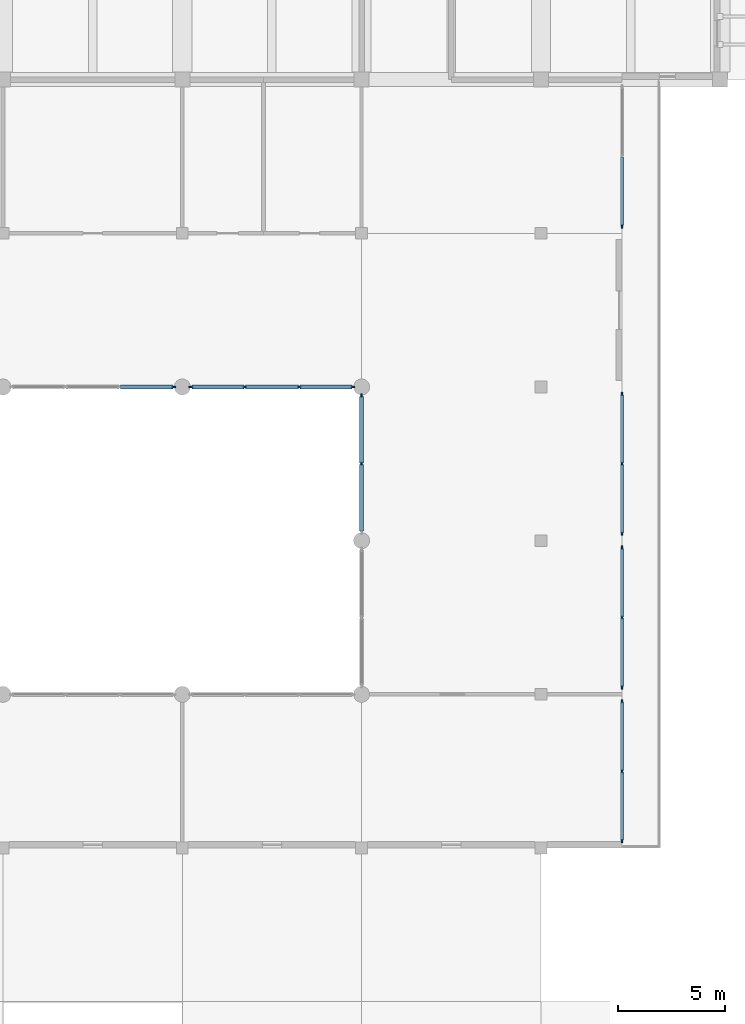
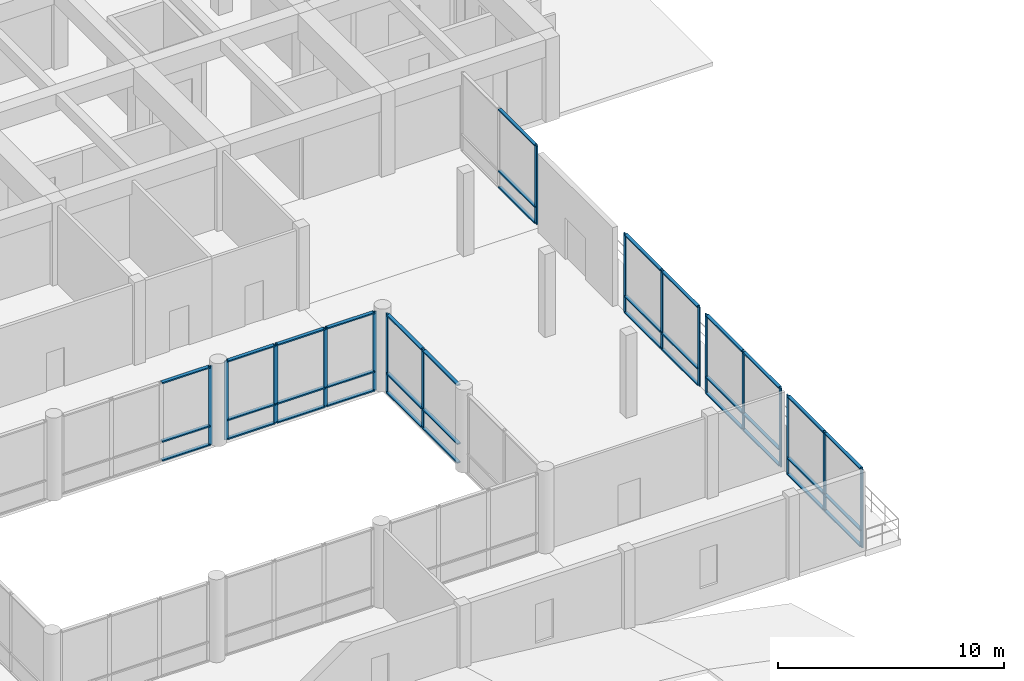
# One storey, part 4 of 17: 56 members, 7 elements without a shape of their own.
"""IFC4 building model written with IfcOpenShell, lengths in metres."""

from ifc_helpers import new_model, si_unit, direction, frame, origin, origin_2d, place, context, subcontext, project, spatial, rectangle, extrude, material, material_profile, profile_set, type_object, element, aggregate, save


model = new_model("IFC4")

# Units and contexts
model_context = context("Model", 3, precision=1e-05, world=origin(), true_north=direction((0.0, 1.0)))
body_context = subcontext(model_context, "Body", "Model", "MODEL_VIEW")
ifc_project = project(units=[si_unit("LENGTHUNIT", "METRE"), si_unit("AREAUNIT", "SQUARE_METRE"), si_unit("VOLUMEUNIT", "CUBIC_METRE"), si_unit("PLANEANGLEUNIT", "RADIAN"), si_unit("MASSUNIT", "GRAM", prefix="KILO")], contexts=[model_context])

# Site, building, storey
site_placement = place(None, origin())
site = spatial("IfcSite", under=ifc_project, at=site_placement, CompositionType="ELEMENT")
building_placement = place(site_placement, origin())
building = spatial("IfcBuilding", under=site, at=building_placement, Name="Kenerak Square Central Library", CompositionType="ELEMENT")
storey_placement = place(building_placement, frame((0.0, 0.0, 23.360107421875)))
storey = spatial("IfcBuildingStorey", under=building, at=storey_placement, Name="L05", CompositionType="ELEMENT", Elevation=23.360107421875)

# Curtain wall, member
ifc_material_1 = material(Name="Anodised aluminium and solar-control low-E glazing", Category="aluminium")
curtain_wall_type_1 = type_object("IfcCurtainWallType", Name="Curtain Wall CW-V4-66x42 6600x4255", PredefinedType="USERDEFINED", material=ifc_material_1)
curtain_wall_1_placement = place(storey_placement, origin())
curtain_wall_1 = element("IfcCurtainWall", 1, at=curtain_wall_1_placement, inside=storey, type_object=curtain_wall_type_1, Name="Curtain Wall CW-V4-66x42 L05 0159", ObjectType="CURTAIN WALL", PredefinedType="USERDEFINED")
ifc_material_2 = material(Name="Anodised aluminium 6063-T6", Category="aluminium")
ifc_material_profile_1 = material_profile(ifc_material_2, rectangle(XDim=0.06494140625, YDim=0.179931640625, at=origin_2d()), Name="AL MULLION 65x180")
ifc_profile_set_1 = profile_set([ifc_material_profile_1], Name="Anodised aluminium 6063-T6")
member_type_1 = type_object("IfcMemberType", Name="Curtain Mullion CM-01 65x180", PredefinedType="MULLION", material=ifc_profile_set_1)
member_1_placement = place(storey_placement, frame((112.60009765625, 81.9326171875, 0.0), z_axis=(0.0, 0.0, 1.0), x_axis=(1.0, 0.0, 0.0)))
member_1 = element("IfcMember", 2, at=member_1_placement, type_object=member_type_1, Name="CW-V4-66x42 Mullion 3", PredefinedType="MULLION", context=body_context, shape_type="SweptSolid", body=[
    extrude(rectangle(XDim=0.06494140625, YDim=0.179931640625, at=origin_2d()), origin(), (0.0, 0.0, 1.0), 4.2548828125),
])

# Curtain wall, members
curtain_wall_2_placement = place(storey_placement, origin())
curtain_wall_2 = element("IfcCurtainWall", 3, at=curtain_wall_2_placement, inside=storey, type_object=curtain_wall_type_1, Name="Curtain Wall CW-V4-66x42 L05 0160", ObjectType="CURTAIN WALL", PredefinedType="USERDEFINED")
member_2_placement = place(storey_placement, frame((112.60009765625, 74.0673828125, 0.0), z_axis=(0.0, 0.0, 1.0), x_axis=(1.0, 0.0, 0.0)))
member_2 = element("IfcMember", 4, at=member_2_placement, type_object=member_type_1, Name="CW-V4-66x42 Mullion 1", PredefinedType="MULLION", context=body_context, shape_type="SweptSolid", body=[
    extrude(rectangle(XDim=0.06494140625, YDim=0.179931640625, at=origin_2d()), origin(), (0.0, 0.0, 1.0), 4.2548828125),
])
member_3_placement = place(storey_placement, frame((112.60009765625, 70.800048828125, 0.0), z_axis=(0.0, 0.0, 1.0), x_axis=(1.0, 0.0, 0.0)))
member_3 = element("IfcMember", 5, at=member_3_placement, type_object=member_type_1, Name="CW-V4-66x42 Mullion 2", PredefinedType="MULLION", context=body_context, shape_type="SweptSolid", body=[
    extrude(rectangle(XDim=0.06494140625, YDim=0.179931640625, at=origin_2d()), origin(), (0.0, 0.0, 1.0), 4.2548828125),
])
member_4_placement = place(storey_placement, frame((112.60009765625, 67.532470703125, 0.0), z_axis=(0.0, 0.0, 1.0), x_axis=(1.0, 0.0, 0.0)))
member_4 = element("IfcMember", 6, at=member_4_placement, type_object=member_type_1, Name="CW-V4-66x42 Mullion 3", PredefinedType="MULLION", context=body_context, shape_type="SweptSolid", body=[
    extrude(rectangle(XDim=0.06494140625, YDim=0.179931640625, at=origin_2d()), origin(), (0.0, 0.0, 1.0), 4.2548828125),
])

curtain_wall_3_placement = place(storey_placement, origin())
curtain_wall_3 = element("IfcCurtainWall", 7, at=curtain_wall_3_placement, inside=storey, type_object=curtain_wall_type_1, Name="Curtain Wall CW-V4-66x42 L05 0161", ObjectType="CURTAIN WALL", PredefinedType="USERDEFINED")
member_5_placement = place(storey_placement, frame((112.60009765625, 66.867431640625, 0.0), z_axis=(0.0, 0.0, 1.0), x_axis=(1.0, 0.0, 0.0)))
member_5 = element("IfcMember", 8, at=member_5_placement, type_object=member_type_1, Name="CW-V4-66x42 Mullion 1", PredefinedType="MULLION", context=body_context, shape_type="SweptSolid", body=[
    extrude(rectangle(XDim=0.06494140625, YDim=0.179931640625, at=origin_2d()), origin(), (0.0, 0.0, 1.0), 4.2548828125),
])
member_6_placement = place(storey_placement, frame((112.60009765625, 63.60009765625, 0.0), z_axis=(0.0, 0.0, 1.0), x_axis=(1.0, 0.0, 0.0)))
member_6 = element("IfcMember", 9, at=member_6_placement, type_object=member_type_1, Name="CW-V4-66x42 Mullion 2", PredefinedType="MULLION", context=body_context, shape_type="SweptSolid", body=[
    extrude(rectangle(XDim=0.06494140625, YDim=0.179931640625, at=origin_2d()), origin(), (0.0, 0.0, 1.0), 4.2548828125),
])
member_7_placement = place(storey_placement, frame((112.60009765625, 60.33251953125, 0.0), z_axis=(0.0, 0.0, 1.0), x_axis=(1.0, 0.0, 0.0)))
member_7 = element("IfcMember", 10, at=member_7_placement, type_object=member_type_1, Name="CW-V4-66x42 Mullion 3", PredefinedType="MULLION", context=body_context, shape_type="SweptSolid", body=[
    extrude(rectangle(XDim=0.06494140625, YDim=0.179931640625, at=origin_2d()), origin(), (0.0, 0.0, 1.0), 4.2548828125),
])

curtain_wall_4_placement = place(storey_placement, origin())
curtain_wall_4 = element("IfcCurtainWall", 11, at=curtain_wall_4_placement, inside=storey, type_object=curtain_wall_type_1, Name="Curtain Wall CW-V4-66x42 L05 0162", ObjectType="CURTAIN WALL", PredefinedType="USERDEFINED")
member_8_placement = place(storey_placement, frame((112.60009765625, 59.66748046875, 0.0), z_axis=(0.0, 0.0, 1.0), x_axis=(1.0, 0.0, 0.0)))
member_8 = element("IfcMember", 12, at=member_8_placement, type_object=member_type_1, Name="CW-V4-66x42 Mullion 1", PredefinedType="MULLION", context=body_context, shape_type="SweptSolid", body=[
    extrude(rectangle(XDim=0.06494140625, YDim=0.179931640625, at=origin_2d()), origin(), (0.0, 0.0, 1.0), 4.2548828125),
])
member_9_placement = place(storey_placement, frame((112.60009765625, 56.39990234375, 0.0), z_axis=(0.0, 0.0, 1.0), x_axis=(1.0, 0.0, 0.0)))
member_9 = element("IfcMember", 13, at=member_9_placement, type_object=member_type_1, Name="CW-V4-66x42 Mullion 2", PredefinedType="MULLION", context=body_context, shape_type="SweptSolid", body=[
    extrude(rectangle(XDim=0.06494140625, YDim=0.179931640625, at=origin_2d()), origin(), (0.0, 0.0, 1.0), 4.2548828125),
])
member_10_placement = place(storey_placement, frame((112.60009765625, 53.132568359375, 0.0), z_axis=(0.0, 0.0, 1.0), x_axis=(1.0, 0.0, 0.0)))
member_10 = element("IfcMember", 14, at=member_10_placement, type_object=member_type_1, Name="CW-V4-66x42 Mullion 3", PredefinedType="MULLION", context=body_context, shape_type="SweptSolid", body=[
    extrude(rectangle(XDim=0.06494140625, YDim=0.179931640625, at=origin_2d()), origin(), (0.0, 0.0, 1.0), 4.2548828125),
])

# Member
ifc_material_profile_2 = material_profile(ifc_material_2, rectangle(XDim=0.159912109375, YDim=0.06494140625, at=origin_2d()), Name="AL TRANSOM 160x65")
ifc_profile_set_2 = profile_set([ifc_material_profile_2], Name="Anodised aluminium 6063-T6")
member_type_2 = type_object("IfcMemberType", Name="Curtain Transom CT-11 160x65", PredefinedType="USERDEFINED", material=ifc_profile_set_2)
member_11_placement = place(storey_placement, frame((112.60009765625, 85.16748046875, 0.032470703125), z_axis=(0.0, -1.0, 0.0), x_axis=(1.0, 0.0, 0.0)))
member_11 = element("IfcMember", 15, at=member_11_placement, type_object=member_type_2, Name="CW-V4-66x42 Transom 2.1", ObjectType="TRANSOM", PredefinedType="USERDEFINED", context=body_context, shape_type="SweptSolid", body=[
    extrude(rectangle(XDim=0.159912109375, YDim=0.06494140625, at=origin_2d()), origin(), (0.0, 0.0, 1.0), 3.202392578125),
])

member_12_placement = place(storey_placement, frame((112.60009765625, 85.16748046875, 0.89990234375), z_axis=(0.0, -1.0, 0.0), x_axis=(1.0, 0.0, 0.0)))
member_12 = element("IfcMember", 16, at=member_12_placement, type_object=member_type_2, Name="CW-V4-66x42 Transom 2.2", ObjectType="TRANSOM", PredefinedType="USERDEFINED", context=body_context, shape_type="SweptSolid", body=[
    extrude(rectangle(XDim=0.159912109375, YDim=0.06494140625, at=origin_2d()), origin(), (0.0, 0.0, 1.0), 3.202392578125),
])

member_13_placement = place(storey_placement, frame((112.60009765625, 85.16748046875, 4.222412109375), z_axis=(0.0, -1.0, 0.0), x_axis=(1.0, 0.0, 0.0)))
member_13 = element("IfcMember", 17, at=member_13_placement, type_object=member_type_2, Name="CW-V4-66x42 Transom 2.3", ObjectType="TRANSOM", PredefinedType="USERDEFINED", context=body_context, shape_type="SweptSolid", body=[
    extrude(rectangle(XDim=0.159912109375, YDim=0.06494140625, at=origin_2d()), origin(), (0.0, 0.0, 1.0), 3.202392578125),
])

aggregate(curtain_wall_1, [member_1, member_11, member_12, member_13])

member_14_placement = place(storey_placement, frame((112.60009765625, 74.034912109375, 0.032470703125), z_axis=(0.0, -1.0, 0.0), x_axis=(1.0, 0.0, 0.0)))
member_14 = element("IfcMember", 18, at=member_14_placement, type_object=member_type_2, Name="CW-V4-66x42 Transom 1.1", ObjectType="TRANSOM", PredefinedType="USERDEFINED", context=body_context, shape_type="SweptSolid", body=[
    extrude(rectangle(XDim=0.159912109375, YDim=0.06494140625, at=origin_2d()), origin(), (0.0, 0.0, 1.0), 3.202392578125),
])

member_15_placement = place(storey_placement, frame((112.60009765625, 74.034912109375, 0.89990234375), z_axis=(0.0, -1.0, 0.0), x_axis=(1.0, 0.0, 0.0)))
member_15 = element("IfcMember", 19, at=member_15_placement, type_object=member_type_2, Name="CW-V4-66x42 Transom 1.2", ObjectType="TRANSOM", PredefinedType="USERDEFINED", context=body_context, shape_type="SweptSolid", body=[
    extrude(rectangle(XDim=0.159912109375, YDim=0.06494140625, at=origin_2d()), origin(), (0.0, 0.0, 1.0), 3.202392578125),
])

member_16_placement = place(storey_placement, frame((112.60009765625, 74.034912109375, 4.222412109375), z_axis=(0.0, -1.0, 0.0), x_axis=(1.0, 0.0, 0.0)))
member_16 = element("IfcMember", 20, at=member_16_placement, type_object=member_type_2, Name="CW-V4-66x42 Transom 1.3", ObjectType="TRANSOM", PredefinedType="USERDEFINED", context=body_context, shape_type="SweptSolid", body=[
    extrude(rectangle(XDim=0.159912109375, YDim=0.06494140625, at=origin_2d()), origin(), (0.0, 0.0, 1.0), 3.202392578125),
])

member_17_placement = place(storey_placement, frame((112.60009765625, 70.767578125, 0.032470703125), z_axis=(0.0, -1.0, 0.0), x_axis=(1.0, 0.0, 0.0)))
member_17 = element("IfcMember", 21, at=member_17_placement, type_object=member_type_2, Name="CW-V4-66x42 Transom 2.1", ObjectType="TRANSOM", PredefinedType="USERDEFINED", context=body_context, shape_type="SweptSolid", body=[
    extrude(rectangle(XDim=0.159912109375, YDim=0.06494140625, at=origin_2d()), origin(), (0.0, 0.0, 1.0), 3.20263671875),
])

member_18_placement = place(storey_placement, frame((112.60009765625, 70.767578125, 0.89990234375), z_axis=(0.0, -1.0, 0.0), x_axis=(1.0, 0.0, 0.0)))
member_18 = element("IfcMember", 22, at=member_18_placement, type_object=member_type_2, Name="CW-V4-66x42 Transom 2.2", ObjectType="TRANSOM", PredefinedType="USERDEFINED", context=body_context, shape_type="SweptSolid", body=[
    extrude(rectangle(XDim=0.159912109375, YDim=0.06494140625, at=origin_2d()), origin(), (0.0, 0.0, 1.0), 3.20263671875),
])

member_19_placement = place(storey_placement, frame((112.60009765625, 70.767578125, 4.222412109375), z_axis=(0.0, -1.0, 0.0), x_axis=(1.0, 0.0, 0.0)))
member_19 = element("IfcMember", 23, at=member_19_placement, type_object=member_type_2, Name="CW-V4-66x42 Transom 2.3", ObjectType="TRANSOM", PredefinedType="USERDEFINED", context=body_context, shape_type="SweptSolid", body=[
    extrude(rectangle(XDim=0.159912109375, YDim=0.06494140625, at=origin_2d()), origin(), (0.0, 0.0, 1.0), 3.20263671875),
])

aggregate(curtain_wall_2, [member_2, member_3, member_4, member_14, member_15, member_16, member_17, member_18, member_19])

member_20_placement = place(storey_placement, frame((112.60009765625, 66.8349609375, 0.032470703125), z_axis=(0.0, -1.0, 0.0), x_axis=(1.0, 0.0, 0.0)))
member_20 = element("IfcMember", 24, at=member_20_placement, type_object=member_type_2, Name="CW-V4-66x42 Transom 1.1", ObjectType="TRANSOM", PredefinedType="USERDEFINED", context=body_context, shape_type="SweptSolid", body=[
    extrude(rectangle(XDim=0.159912109375, YDim=0.06494140625, at=origin_2d()), origin(), (0.0, 0.0, 1.0), 3.202392578125),
])

member_21_placement = place(storey_placement, frame((112.60009765625, 66.8349609375, 0.89990234375), z_axis=(0.0, -1.0, 0.0), x_axis=(1.0, 0.0, 0.0)))
member_21 = element("IfcMember", 25, at=member_21_placement, type_object=member_type_2, Name="CW-V4-66x42 Transom 1.2", ObjectType="TRANSOM", PredefinedType="USERDEFINED", context=body_context, shape_type="SweptSolid", body=[
    extrude(rectangle(XDim=0.159912109375, YDim=0.06494140625, at=origin_2d()), origin(), (0.0, 0.0, 1.0), 3.202392578125),
])

member_22_placement = place(storey_placement, frame((112.60009765625, 66.8349609375, 4.222412109375), z_axis=(0.0, -1.0, 0.0), x_axis=(1.0, 0.0, 0.0)))
member_22 = element("IfcMember", 26, at=member_22_placement, type_object=member_type_2, Name="CW-V4-66x42 Transom 1.3", ObjectType="TRANSOM", PredefinedType="USERDEFINED", context=body_context, shape_type="SweptSolid", body=[
    extrude(rectangle(XDim=0.159912109375, YDim=0.06494140625, at=origin_2d()), origin(), (0.0, 0.0, 1.0), 3.202392578125),
])

member_23_placement = place(storey_placement, frame((112.60009765625, 63.5673828125, 0.032470703125), z_axis=(0.0, -1.0, 0.0), x_axis=(1.0, 0.0, 0.0)))
member_23 = element("IfcMember", 27, at=member_23_placement, type_object=member_type_2, Name="CW-V4-66x42 Transom 2.1", ObjectType="TRANSOM", PredefinedType="USERDEFINED", context=body_context, shape_type="SweptSolid", body=[
    extrude(rectangle(XDim=0.159912109375, YDim=0.06494140625, at=origin_2d()), origin(), (0.0, 0.0, 1.0), 3.202392578125),
])

member_24_placement = place(storey_placement, frame((112.60009765625, 63.5673828125, 0.89990234375), z_axis=(0.0, -1.0, 0.0), x_axis=(1.0, 0.0, 0.0)))
member_24 = element("IfcMember", 28, at=member_24_placement, type_object=member_type_2, Name="CW-V4-66x42 Transom 2.2", ObjectType="TRANSOM", PredefinedType="USERDEFINED", context=body_context, shape_type="SweptSolid", body=[
    extrude(rectangle(XDim=0.159912109375, YDim=0.06494140625, at=origin_2d()), origin(), (0.0, 0.0, 1.0), 3.202392578125),
])

member_25_placement = place(storey_placement, frame((112.60009765625, 63.5673828125, 4.222412109375), z_axis=(0.0, -1.0, 0.0), x_axis=(1.0, 0.0, 0.0)))
member_25 = element("IfcMember", 29, at=member_25_placement, type_object=member_type_2, Name="CW-V4-66x42 Transom 2.3", ObjectType="TRANSOM", PredefinedType="USERDEFINED", context=body_context, shape_type="SweptSolid", body=[
    extrude(rectangle(XDim=0.159912109375, YDim=0.06494140625, at=origin_2d()), origin(), (0.0, 0.0, 1.0), 3.202392578125),
])

aggregate(curtain_wall_3, [member_5, member_6, member_7, member_20, member_21, member_22, member_23, member_24, member_25])

member_26_placement = place(storey_placement, frame((112.60009765625, 59.635009765625, 0.032470703125), z_axis=(0.0, -1.0, 0.0), x_axis=(1.0, 0.0, 0.0)))
member_26 = element("IfcMember", 30, at=member_26_placement, type_object=member_type_2, Name="CW-V4-66x42 Transom 1.1", ObjectType="TRANSOM", PredefinedType="USERDEFINED", context=body_context, shape_type="SweptSolid", body=[
    extrude(rectangle(XDim=0.159912109375, YDim=0.06494140625, at=origin_2d()), origin(), (0.0, 0.0, 1.0), 3.202392578125),
])

member_27_placement = place(storey_placement, frame((112.60009765625, 59.635009765625, 0.89990234375), z_axis=(0.0, -1.0, 0.0), x_axis=(1.0, 0.0, 0.0)))
member_27 = element("IfcMember", 31, at=member_27_placement, type_object=member_type_2, Name="CW-V4-66x42 Transom 1.2", ObjectType="TRANSOM", PredefinedType="USERDEFINED", context=body_context, shape_type="SweptSolid", body=[
    extrude(rectangle(XDim=0.159912109375, YDim=0.06494140625, at=origin_2d()), origin(), (0.0, 0.0, 1.0), 3.202392578125),
])

member_28_placement = place(storey_placement, frame((112.60009765625, 59.635009765625, 4.222412109375), z_axis=(0.0, -1.0, 0.0), x_axis=(1.0, 0.0, 0.0)))
member_28 = element("IfcMember", 32, at=member_28_placement, type_object=member_type_2, Name="CW-V4-66x42 Transom 1.3", ObjectType="TRANSOM", PredefinedType="USERDEFINED", context=body_context, shape_type="SweptSolid", body=[
    extrude(rectangle(XDim=0.159912109375, YDim=0.06494140625, at=origin_2d()), origin(), (0.0, 0.0, 1.0), 3.202392578125),
])

member_29_placement = place(storey_placement, frame((112.60009765625, 56.367431640625, 0.032470703125), z_axis=(0.0, -1.0, 0.0), x_axis=(1.0, 0.0, 0.0)))
member_29 = element("IfcMember", 33, at=member_29_placement, type_object=member_type_2, Name="CW-V4-66x42 Transom 2.1", ObjectType="TRANSOM", PredefinedType="USERDEFINED", context=body_context, shape_type="SweptSolid", body=[
    extrude(rectangle(XDim=0.159912109375, YDim=0.06494140625, at=origin_2d()), origin(), (0.0, 0.0, 1.0), 3.202392578125),
])

member_30_placement = place(storey_placement, frame((112.60009765625, 56.367431640625, 0.89990234375), z_axis=(0.0, -1.0, 0.0), x_axis=(1.0, 0.0, 0.0)))
member_30 = element("IfcMember", 34, at=member_30_placement, type_object=member_type_2, Name="CW-V4-66x42 Transom 2.2", ObjectType="TRANSOM", PredefinedType="USERDEFINED", context=body_context, shape_type="SweptSolid", body=[
    extrude(rectangle(XDim=0.159912109375, YDim=0.06494140625, at=origin_2d()), origin(), (0.0, 0.0, 1.0), 3.202392578125),
])

member_31_placement = place(storey_placement, frame((112.60009765625, 56.367431640625, 4.222412109375), z_axis=(0.0, -1.0, 0.0), x_axis=(1.0, 0.0, 0.0)))
member_31 = element("IfcMember", 35, at=member_31_placement, type_object=member_type_2, Name="CW-V4-66x42 Transom 2.3", ObjectType="TRANSOM", PredefinedType="USERDEFINED", context=body_context, shape_type="SweptSolid", body=[
    extrude(rectangle(XDim=0.159912109375, YDim=0.06494140625, at=origin_2d()), origin(), (0.0, 0.0, 1.0), 3.202392578125),
])

aggregate(curtain_wall_4, [member_8, member_9, member_10, member_26, member_27, member_28, member_29, member_30, member_31])

# Curtain wall, members
ifc_material_3 = material(Name="Intumescent fire-resisting glazing EI 60", Category="glass")
curtain_wall_type_2 = type_object("IfcCurtainWallType", Name="Curtain Wall CW-AT60-64x42 6450x4255", PredefinedType="USERDEFINED", material=ifc_material_3)
curtain_wall_5_placement = place(storey_placement, origin())
curtain_wall_5 = element("IfcCurtainWall", 36, at=curtain_wall_5_placement, inside=storey, type_object=curtain_wall_type_2, Name="Atrium Fire-Rated Glazed Screen CW-AT60-64x42 L05 0191", ObjectType="CURTAIN WALL", PredefinedType="USERDEFINED")
ifc_material_profile_3 = material_profile(ifc_material_2, rectangle(XDim=0.070068359375, YDim=0.199951171875, at=origin_2d()), Name="AL MULLION 70x200")
ifc_profile_set_3 = profile_set([ifc_material_profile_3], Name="Anodised aluminium 6063-T6")
member_type_3 = type_object("IfcMemberType", Name="Fire-Rated Glazing Mullion CM-05 70x200", PredefinedType="MULLION", material=ifc_profile_set_3)
member_32_placement = place(storey_placement, frame((100.39990234375, 70.800048828125, 0.0), z_axis=(0.0, 0.0, 1.0), x_axis=(-1.0, 0.0, 0.0)))
member_32 = element("IfcMember", 37, at=member_32_placement, type_object=member_type_3, Name="CW-AT60-64x42 Mullion 2", PredefinedType="MULLION", context=body_context, shape_type="SweptSolid", body=[
    extrude(rectangle(XDim=0.070068359375, YDim=0.199951171875, at=origin_2d()), origin(), (0.0, 0.0, 1.0), 4.2548828125),
])
member_33_placement = place(storey_placement, frame((100.39990234375, 73.989990234375, 0.0), z_axis=(0.0, 0.0, 1.0), x_axis=(-1.0, 0.0, 0.0)))
member_33 = element("IfcMember", 38, at=member_33_placement, type_object=member_type_3, Name="CW-AT60-64x42 Mullion 3", PredefinedType="MULLION", context=body_context, shape_type="SweptSolid", body=[
    extrude(rectangle(XDim=0.070068359375, YDim=0.199951171875, at=origin_2d()), origin(), (0.0, 0.0, 1.0), 4.2548828125),
])

curtain_wall_type_3 = type_object("IfcCurtainWallType", Name="Curtain Wall CW-AT60-76x42 7650x4255", PredefinedType="USERDEFINED", material=ifc_material_3)
curtain_wall_6_placement = place(storey_placement, origin())
curtain_wall_6 = element("IfcCurtainWall", 39, at=curtain_wall_6_placement, inside=storey, type_object=curtain_wall_type_3, Name="Atrium Fire-Rated Glazed Screen CW-AT60-76x42 L05 0192", ObjectType="CURTAIN WALL", PredefinedType="USERDEFINED")
member_34_placement = place(storey_placement, frame((99.989990234375, 74.39990234375, 0.0), z_axis=(0.0, 0.0, 1.0), x_axis=(0.0, -1.0, 0.0)))
member_34 = element("IfcMember", 40, at=member_34_placement, type_object=member_type_3, Name="CW-AT60-76x42 Mullion 1", PredefinedType="MULLION", context=body_context, shape_type="SweptSolid", body=[
    extrude(rectangle(XDim=0.070068359375, YDim=0.199951171875, at=origin_2d()), origin(), (0.0, 0.0, 1.0), 4.2548828125),
])
member_35_placement = place(storey_placement, frame((97.47509765625, 74.39990234375, 0.0), z_axis=(0.0, 0.0, 1.0), x_axis=(0.0, -1.0, 0.0)))
member_35 = element("IfcMember", 41, at=member_35_placement, type_object=member_type_3, Name="CW-AT60-76x42 Mullion 2", PredefinedType="MULLION", context=body_context, shape_type="SweptSolid", body=[
    extrude(rectangle(XDim=0.070068359375, YDim=0.199951171875, at=origin_2d()), origin(), (0.0, 0.0, 1.0), 4.2548828125),
])
member_36_placement = place(storey_placement, frame((94.925048828125, 74.39990234375, 0.0), z_axis=(0.0, 0.0, 1.0), x_axis=(0.0, -1.0, 0.0)))
member_36 = element("IfcMember", 42, at=member_36_placement, type_object=member_type_3, Name="CW-AT60-76x42 Mullion 3", PredefinedType="MULLION", context=body_context, shape_type="SweptSolid", body=[
    extrude(rectangle(XDim=0.070068359375, YDim=0.199951171875, at=origin_2d()), origin(), (0.0, 0.0, 1.0), 4.2548828125),
])
member_37_placement = place(storey_placement, frame((92.409912109375, 74.39990234375, 0.0), z_axis=(0.0, 0.0, 1.0), x_axis=(0.0, -1.0, 0.0)))
member_37 = element("IfcMember", 43, at=member_37_placement, type_object=member_type_3, Name="CW-AT60-76x42 Mullion 4", PredefinedType="MULLION", context=body_context, shape_type="SweptSolid", body=[
    extrude(rectangle(XDim=0.070068359375, YDim=0.199951171875, at=origin_2d()), origin(), (0.0, 0.0, 1.0), 4.2548828125),
])

# Curtain wall, member
curtain_wall_7_placement = place(storey_placement, origin())
curtain_wall_7 = element("IfcCurtainWall", 44, at=curtain_wall_7_placement, inside=storey, type_object=curtain_wall_type_3, Name="Atrium Fire-Rated Glazed Screen CW-AT60-76x42 L05 0193", ObjectType="CURTAIN WALL", PredefinedType="USERDEFINED")
member_38_placement = place(storey_placement, frame((91.590087890625, 74.39990234375, 0.0), z_axis=(0.0, 0.0, 1.0), x_axis=(0.0, -1.0, 0.0)))
member_38 = element("IfcMember", 45, at=member_38_placement, type_object=member_type_3, Name="CW-AT60-76x42 Mullion 1", PredefinedType="MULLION", context=body_context, shape_type="SweptSolid", body=[
    extrude(rectangle(XDim=0.070068359375, YDim=0.199951171875, at=origin_2d()), origin(), (0.0, 0.0, 1.0), 4.2548828125),
])

# Member
ifc_material_profile_4 = material_profile(ifc_material_2, rectangle(XDim=0.179931640625, YDim=0.070068359375, at=origin_2d()), Name="AL TRANSOM 180x70")
ifc_profile_set_4 = profile_set([ifc_material_profile_4], Name="Anodised aluminium 6063-T6")
member_type_4 = type_object("IfcMemberType", Name="Fire-Rated Glazing Transom CT-15 180x70", PredefinedType="USERDEFINED", material=ifc_profile_set_4)
member_39_placement = place(storey_placement, frame((100.39990234375, 67.64501953125, 0.034912109375), z_axis=(0.0, 1.0, 0.0), x_axis=(-1.0, 0.0, 0.0)))
member_39 = element("IfcMember", 46, at=member_39_placement, type_object=member_type_4, Name="CW-AT60-64x42 Transom 1.1", ObjectType="TRANSOM", PredefinedType="USERDEFINED", context=body_context, shape_type="SweptSolid", body=[
    extrude(rectangle(XDim=0.179931640625, YDim=0.070068359375, at=origin_2d()), origin(), (0.0, 0.0, 1.0), 3.119873046875),
])

member_40_placement = place(storey_placement, frame((100.39990234375, 67.64501953125, 1.0498046875), z_axis=(0.0, 1.0, 0.0), x_axis=(-1.0, 0.0, 0.0)))
member_40 = element("IfcMember", 47, at=member_40_placement, type_object=member_type_4, Name="CW-AT60-64x42 Transom 1.2", ObjectType="TRANSOM", PredefinedType="USERDEFINED", context=body_context, shape_type="SweptSolid", body=[
    extrude(rectangle(XDim=0.179931640625, YDim=0.070068359375, at=origin_2d()), origin(), (0.0, 0.0, 1.0), 3.119873046875),
])

member_41_placement = place(storey_placement, frame((100.39990234375, 67.64501953125, 4.219970703125), z_axis=(0.0, 1.0, 0.0), x_axis=(-1.0, 0.0, 0.0)))
member_41 = element("IfcMember", 48, at=member_41_placement, type_object=member_type_4, Name="CW-AT60-64x42 Transom 1.3", ObjectType="TRANSOM", PredefinedType="USERDEFINED", context=body_context, shape_type="SweptSolid", body=[
    extrude(rectangle(XDim=0.179931640625, YDim=0.070068359375, at=origin_2d()), origin(), (0.0, 0.0, 1.0), 3.119873046875),
])

member_42_placement = place(storey_placement, frame((100.39990234375, 70.8349609375, 0.034912109375), z_axis=(0.0, 1.0, 0.0), x_axis=(-1.0, 0.0, 0.0)))
member_42 = element("IfcMember", 49, at=member_42_placement, type_object=member_type_4, Name="CW-AT60-64x42 Transom 2.1", ObjectType="TRANSOM", PredefinedType="USERDEFINED", context=body_context, shape_type="SweptSolid", body=[
    extrude(rectangle(XDim=0.179931640625, YDim=0.070068359375, at=origin_2d()), origin(), (0.0, 0.0, 1.0), 3.1201171875),
])

member_43_placement = place(storey_placement, frame((100.39990234375, 70.8349609375, 1.0498046875), z_axis=(0.0, 1.0, 0.0), x_axis=(-1.0, 0.0, 0.0)))
member_43 = element("IfcMember", 50, at=member_43_placement, type_object=member_type_4, Name="CW-AT60-64x42 Transom 2.2", ObjectType="TRANSOM", PredefinedType="USERDEFINED", context=body_context, shape_type="SweptSolid", body=[
    extrude(rectangle(XDim=0.179931640625, YDim=0.070068359375, at=origin_2d()), origin(), (0.0, 0.0, 1.0), 3.1201171875),
])

member_44_placement = place(storey_placement, frame((100.39990234375, 70.8349609375, 4.219970703125), z_axis=(0.0, 1.0, 0.0), x_axis=(-1.0, 0.0, 0.0)))
member_44 = element("IfcMember", 51, at=member_44_placement, type_object=member_type_4, Name="CW-AT60-64x42 Transom 2.3", ObjectType="TRANSOM", PredefinedType="USERDEFINED", context=body_context, shape_type="SweptSolid", body=[
    extrude(rectangle(XDim=0.179931640625, YDim=0.070068359375, at=origin_2d()), origin(), (0.0, 0.0, 1.0), 3.1201171875),
])

aggregate(curtain_wall_5, [member_32, member_33, member_39, member_40, member_41, member_42, member_43, member_44])

member_45_placement = place(storey_placement, frame((99.955078125, 74.39990234375, 0.034912109375), z_axis=(-1.0, 0.0, 0.0), x_axis=(0.0, -1.0, 0.0)))
member_45 = element("IfcMember", 52, at=member_45_placement, type_object=member_type_4, Name="CW-AT60-76x42 Transom 1.1", ObjectType="TRANSOM", PredefinedType="USERDEFINED", context=body_context, shape_type="SweptSolid", body=[
    extrude(rectangle(XDim=0.179931640625, YDim=0.070068359375, at=origin_2d()), origin(), (0.0, 0.0, 1.0), 2.445068359375),
])

member_46_placement = place(storey_placement, frame((99.955078125, 74.39990234375, 1.0498046875), z_axis=(-1.0, 0.0, 0.0), x_axis=(0.0, -1.0, 0.0)))
member_46 = element("IfcMember", 53, at=member_46_placement, type_object=member_type_4, Name="CW-AT60-76x42 Transom 1.2", ObjectType="TRANSOM", PredefinedType="USERDEFINED", context=body_context, shape_type="SweptSolid", body=[
    extrude(rectangle(XDim=0.179931640625, YDim=0.070068359375, at=origin_2d()), origin(), (0.0, 0.0, 1.0), 2.445068359375),
])

member_47_placement = place(storey_placement, frame((99.955078125, 74.39990234375, 4.219970703125), z_axis=(-1.0, 0.0, 0.0), x_axis=(0.0, -1.0, 0.0)))
member_47 = element("IfcMember", 54, at=member_47_placement, type_object=member_type_4, Name="CW-AT60-76x42 Transom 1.3", ObjectType="TRANSOM", PredefinedType="USERDEFINED", context=body_context, shape_type="SweptSolid", body=[
    extrude(rectangle(XDim=0.179931640625, YDim=0.070068359375, at=origin_2d()), origin(), (0.0, 0.0, 1.0), 2.445068359375),
])

member_48_placement = place(storey_placement, frame((97.43994140625, 74.39990234375, 0.034912109375), z_axis=(-1.0, 0.0, 0.0), x_axis=(0.0, -1.0, 0.0)))
member_48 = element("IfcMember", 55, at=member_48_placement, type_object=member_type_4, Name="CW-AT60-76x42 Transom 2.1", ObjectType="TRANSOM", PredefinedType="USERDEFINED", context=body_context, shape_type="SweptSolid", body=[
    extrude(rectangle(XDim=0.179931640625, YDim=0.070068359375, at=origin_2d()), origin(), (0.0, 0.0, 1.0), 2.47998046875),
])

member_49_placement = place(storey_placement, frame((97.43994140625, 74.39990234375, 1.0498046875), z_axis=(-1.0, 0.0, 0.0), x_axis=(0.0, -1.0, 0.0)))
member_49 = element("IfcMember", 56, at=member_49_placement, type_object=member_type_4, Name="CW-AT60-76x42 Transom 2.2", ObjectType="TRANSOM", PredefinedType="USERDEFINED", context=body_context, shape_type="SweptSolid", body=[
    extrude(rectangle(XDim=0.179931640625, YDim=0.070068359375, at=origin_2d()), origin(), (0.0, 0.0, 1.0), 2.47998046875),
])

member_50_placement = place(storey_placement, frame((97.43994140625, 74.39990234375, 4.219970703125), z_axis=(-1.0, 0.0, 0.0), x_axis=(0.0, -1.0, 0.0)))
member_50 = element("IfcMember", 57, at=member_50_placement, type_object=member_type_4, Name="CW-AT60-76x42 Transom 2.3", ObjectType="TRANSOM", PredefinedType="USERDEFINED", context=body_context, shape_type="SweptSolid", body=[
    extrude(rectangle(XDim=0.179931640625, YDim=0.070068359375, at=origin_2d()), origin(), (0.0, 0.0, 1.0), 2.47998046875),
])

member_51_placement = place(storey_placement, frame((94.889892578125, 74.39990234375, 0.034912109375), z_axis=(-1.0, 0.0, 0.0), x_axis=(0.0, -1.0, 0.0)))
member_51 = element("IfcMember", 58, at=member_51_placement, type_object=member_type_4, Name="CW-AT60-76x42 Transom 3.1", ObjectType="TRANSOM", PredefinedType="USERDEFINED", context=body_context, shape_type="SweptSolid", body=[
    extrude(rectangle(XDim=0.179931640625, YDim=0.070068359375, at=origin_2d()), origin(), (0.0, 0.0, 1.0), 2.44482421875),
])

member_52_placement = place(storey_placement, frame((94.889892578125, 74.39990234375, 1.0498046875), z_axis=(-1.0, 0.0, 0.0), x_axis=(0.0, -1.0, 0.0)))
member_52 = element("IfcMember", 59, at=member_52_placement, type_object=member_type_4, Name="CW-AT60-76x42 Transom 3.2", ObjectType="TRANSOM", PredefinedType="USERDEFINED", context=body_context, shape_type="SweptSolid", body=[
    extrude(rectangle(XDim=0.179931640625, YDim=0.070068359375, at=origin_2d()), origin(), (0.0, 0.0, 1.0), 2.44482421875),
])

member_53_placement = place(storey_placement, frame((94.889892578125, 74.39990234375, 4.219970703125), z_axis=(-1.0, 0.0, 0.0), x_axis=(0.0, -1.0, 0.0)))
member_53 = element("IfcMember", 60, at=member_53_placement, type_object=member_type_4, Name="CW-AT60-76x42 Transom 3.3", ObjectType="TRANSOM", PredefinedType="USERDEFINED", context=body_context, shape_type="SweptSolid", body=[
    extrude(rectangle(XDim=0.179931640625, YDim=0.070068359375, at=origin_2d()), origin(), (0.0, 0.0, 1.0), 2.44482421875),
])

aggregate(curtain_wall_6, [member_34, member_35, member_36, member_37, member_45, member_46, member_47, member_48, member_49, member_50, member_51, member_52, member_53])

member_54_placement = place(storey_placement, frame((91.554931640625, 74.39990234375, 0.034912109375), z_axis=(-1.0, 0.0, 0.0), x_axis=(0.0, -1.0, 0.0)))
member_54 = element("IfcMember", 61, at=member_54_placement, type_object=member_type_4, Name="CW-AT60-76x42 Transom 1.1", ObjectType="TRANSOM", PredefinedType="USERDEFINED", context=body_context, shape_type="SweptSolid", body=[
    extrude(rectangle(XDim=0.179931640625, YDim=0.070068359375, at=origin_2d()), origin(), (0.0, 0.0, 1.0), 2.44482421875),
])

member_55_placement = place(storey_placement, frame((91.554931640625, 74.39990234375, 1.0498046875), z_axis=(-1.0, 0.0, 0.0), x_axis=(0.0, -1.0, 0.0)))
member_55 = element("IfcMember", 62, at=member_55_placement, type_object=member_type_4, Name="CW-AT60-76x42 Transom 1.2", ObjectType="TRANSOM", PredefinedType="USERDEFINED", context=body_context, shape_type="SweptSolid", body=[
    extrude(rectangle(XDim=0.179931640625, YDim=0.070068359375, at=origin_2d()), origin(), (0.0, 0.0, 1.0), 2.44482421875),
])

member_56_placement = place(storey_placement, frame((91.554931640625, 74.39990234375, 4.219970703125), z_axis=(-1.0, 0.0, 0.0), x_axis=(0.0, -1.0, 0.0)))
member_56 = element("IfcMember", 63, at=member_56_placement, type_object=member_type_4, Name="CW-AT60-76x42 Transom 1.3", ObjectType="TRANSOM", PredefinedType="USERDEFINED", context=body_context, shape_type="SweptSolid", body=[
    extrude(rectangle(XDim=0.179931640625, YDim=0.070068359375, at=origin_2d()), origin(), (0.0, 0.0, 1.0), 2.44482421875),
])

aggregate(curtain_wall_7, [member_38, member_54, member_55, member_56])

save(model, "model.ifc")
